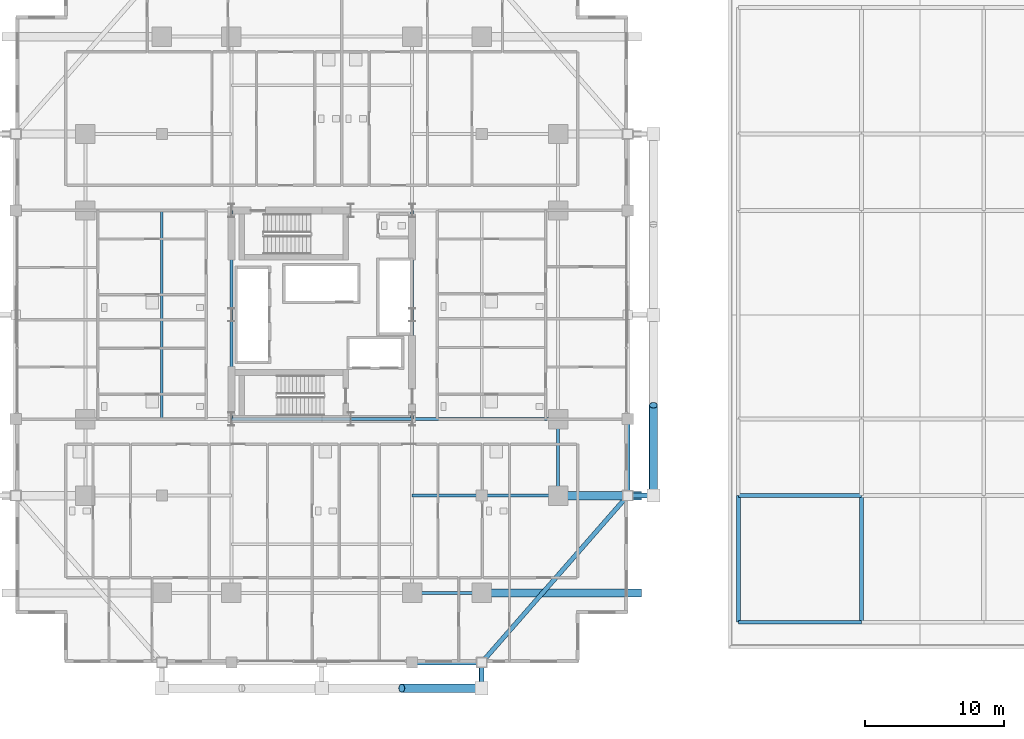
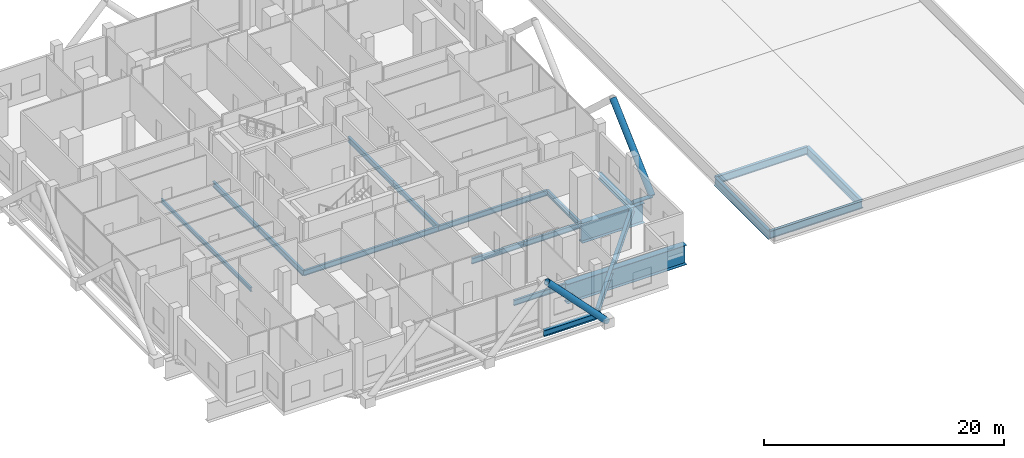
# One storey, part 9 of 33: 21 beams, 4 members.
"""IFC4 building model written with IfcOpenShell, lengths in metres."""

from ifc_helpers import new_model, si_unit, direction, frame, origin, origin_2d, place, context, subcontext, project, spatial, hollow_circle, i_section, extrude, material, material_profile, profile_set, type_object, element, save


model = new_model("IFC4")

# Units and contexts
model_context = context("Model", 3, precision=1e-05, world=origin(), true_north=direction((0.0, 1.0)))
body_context = subcontext(model_context, "Body", "Model", "MODEL_VIEW")
ifc_project = project(units=[si_unit("LENGTHUNIT", "METRE"), si_unit("AREAUNIT", "SQUARE_METRE"), si_unit("VOLUMEUNIT", "CUBIC_METRE"), si_unit("PLANEANGLEUNIT", "RADIAN"), si_unit("MASSUNIT", "GRAM", prefix="KILO")], contexts=[model_context])

# Site, building, storey
site_placement = place(None, origin())
site = spatial("IfcSite", under=ifc_project, at=site_placement, CompositionType="ELEMENT")
building_placement = place(site_placement, origin())
building = spatial("IfcBuilding", under=site, at=building_placement, Name="Barlavira Tower and Art Museum", CompositionType="ELEMENT")
storey_placement = place(building_placement, frame((0.0, 0.0, 27.60009765625)))
storey = spatial("IfcBuildingStorey", under=building, at=storey_placement, Name="L05", CompositionType="ELEMENT", Elevation=27.60009765625)

# Beams
ifc_material = material(Name="Steel S355", Category="steel")
ifc_material_profile_1 = material_profile(ifc_material, i_section(OverallWidth=0.2939453125, OverallDepth=0.85107421875, WebThickness=0.017333984375, FlangeThickness=0.0283203125, at=origin_2d()), Name="W840x251.0")
ifc_profile_set_1 = profile_set([ifc_material_profile_1], Name="Steel S355")
beam_type_1 = type_object("IfcBeamType", Name="Museum Auditorium Heavy Girder W840x251 Steel S355", PredefinedType="BEAM", material=ifc_profile_set_1)
for number, where, z_axis, x_axis, name in (
    (1, (29.949951171875, -22.10009765625, -0.695556640625), (0.0, 1.0, 0.0), (-1.0, 0.0, 0.0), "L05 Museum Girder Y 1-1"),
    (2, (38.800048828125, -22.10009765625, -0.695556640625), (0.0, 1.0, 0.0), (-1.0, 0.0, 0.0), "L05 Museum Girder Y 2-1"),
):
    element("IfcBeam", number, at=place(storey_placement, frame(where, z_axis=z_axis, x_axis=x_axis)), inside=storey, type_object=beam_type_1, Name=name, PredefinedType="BEAM", context=body_context, shape_type="SweptSolid", body=[
        extrude(i_section(OverallWidth=0.2939453125, OverallDepth=0.85107421875, WebThickness=0.017333984375, FlangeThickness=0.0283203125, at=origin_2d()), origin(), (0.0, 0.0, 1.0), 9.10009765625),
    ])
ifc_material_profile_2 = material_profile(ifc_material, i_section(OverallWidth=0.26904296875, OverallDepth=0.76806640625, WebThickness=0.016845703125, FlangeThickness=0.026611328125, at=origin_2d()), Name="W760x220.0")
ifc_profile_set_2 = profile_set([ifc_material_profile_2], Name="Steel S355")
beam_type_2 = type_object("IfcBeamType", Name="Museum Long-Span Gallery Girder W760x220 Steel S355", PredefinedType="BEAM", material=ifc_profile_set_2)
for number, where, z_axis, x_axis, name in (
    (3, (29.949951171875, -22.10009765625, -0.654052734375), (1.0, 0.0, 0.0), (0.0, 1.0, 0.0), "L05 Museum Girder X 1-1"),
    (4, (29.949951171875, -13.0, -0.654052734375), (1.0, 0.0, 0.0), (0.0, 1.0, 0.0), "L05 Museum Girder X 2-1"),
):
    element("IfcBeam", number, at=place(storey_placement, frame(where, z_axis=z_axis, x_axis=x_axis)), inside=storey, type_object=beam_type_2, Name=name, PredefinedType="BEAM", context=body_context, shape_type="SweptSolid", body=[
        extrude(i_section(OverallWidth=0.26904296875, OverallDepth=0.76806640625, WebThickness=0.016845703125, FlangeThickness=0.026611328125, at=origin_2d()), origin(), (0.0, 0.0, 1.0), 8.85009765625),
    ])

# Members
ifc_material_profile_3 = material_profile(ifc_material, hollow_circle(Radius=0.304931640625, WallThickness=0.028076171875, at=origin_2d()), Name="CHS 610.0x28.0")
ifc_profile_set_3 = profile_set([ifc_material_profile_3], Name="Steel S355")
member_type_1 = type_object("IfcMemberType", Name="Pale-Metal Exoskeleton Diagrid Tube CHS 610x28 Steel S355", PredefinedType="BRACE", material=ifc_profile_set_3)
member_1_placement = place(storey_placement, frame((11.5, -26.85009765625, -0.1201171875), z_axis=(-0.691905363236, 0.0, 0.721988205115), x_axis=(0.0, -1.0, 0.0)))
element("IfcMember", 5, at=member_1_placement, inside=storey, type_object=member_type_1, Name="L05 Exoskeleton Diagrid Tube S", PredefinedType="BRACE", context=body_context, shape_type="SweptSolid", body=[
    extrude(hollow_circle(Radius=0.304931640625, WallThickness=0.028076171875, at=origin_2d()), origin(), (0.0, 0.0, 1.0), 8.310302734375),
])
member_2_placement = place(storey_placement, frame((23.85009765625, -13.0, -0.1201171875), z_axis=(0.0, 0.734803444627, 0.678280102733), x_axis=(-1.0, 0.0, 0.0)))
element("IfcMember", 6, at=member_2_placement, inside=storey, type_object=member_type_1, Name="L05 Exoskeleton Diagrid Tube E", PredefinedType="BRACE", context=body_context, shape_type="SweptSolid", body=[
    extrude(hollow_circle(Radius=0.304931640625, WallThickness=0.028076171875, at=origin_2d()), origin(), (0.0, 0.0, 1.0), 8.845947265625),
])
ifc_material_profile_4 = material_profile(ifc_material, hollow_circle(Radius=0.177734375, WallThickness=0.01611328125, at=origin_2d()), Name="CHS 355.6x16.0")
ifc_profile_set_4 = profile_set([ifc_material_profile_4], Name="Steel S355")
member_type_2 = type_object("IfcMemberType", Name="Pale-Metal Exoskeleton Tie Strut CHS 356x16 Steel S355", PredefinedType="STRUT", material=ifc_profile_set_4)
for number, where, z_axis, x_axis, name in (
    (7, (11.5, -26.85009765625, -0.1201171875), (0.0, 1.0, 0.0), (-1.0, 0.0, 0.0), "L05 Exoskeleton Tie Strut S3"),
    (8, (23.85009765625, -13.0, -0.1201171875), (-1.0, 0.0, 0.0), (0.0, -1.0, 0.0), "L05 Exoskeleton Tie Strut E1"),
):
    element("IfcMember", number, at=place(storey_placement, frame(where, z_axis=z_axis, x_axis=x_axis)), inside=storey, type_object=member_type_2, Name=name, PredefinedType="STRUT", context=body_context, shape_type="SweptSolid", body=[
        extrude(hollow_circle(Radius=0.177734375, WallThickness=0.01611328125, at=origin_2d()), origin(), (0.0, 0.0, 1.0), 1.85009765625),
    ])

# Beams
ifc_material_profile_5 = material_profile(ifc_material, i_section(OverallWidth=0.327880859375, OverallDepth=0.62890625, WebThickness=0.013916015625, FlangeThickness=0.021484375, at=origin_2d()), Name="W610x174.0")
ifc_profile_set_5 = profile_set([ifc_material_profile_5], Name="Steel S355")
beam_type_3 = type_object("IfcBeamType", Name="Perimeter Spandrel Edge Beam W610x174 Steel S355", PredefinedType="SPANDREL", material=ifc_profile_set_5)
beam_1_placement = place(storey_placement, frame((6.5, -25.0, -0.714599609375), z_axis=(1.0, 0.0, 0.0), x_axis=(0.0, 1.0, 0.0)))
element("IfcBeam", 9, at=beam_1_placement, inside=storey, type_object=beam_type_3, Name="L05 Spandrel 3", PredefinedType="SPANDREL", context=body_context, shape_type="SweptSolid", body=[
    extrude(i_section(OverallWidth=0.327880859375, OverallDepth=0.62890625, WebThickness=0.013916015625, FlangeThickness=0.021484375, at=origin_2d()), origin(), (0.0, 0.0, 1.0), 5.0),
])
beam_2_placement = place(storey_placement, frame((11.5, -25.0, -0.714599609375), z_axis=(0.658504607869, 0.752576694707, 0.0), x_axis=(-0.752576694707, 0.658504607869, 0.0)))
element("IfcBeam", 10, at=beam_2_placement, inside=storey, type_object=beam_type_3, Name="L05 Spandrel 4", PredefinedType="SPANDREL", context=body_context, shape_type="SweptSolid", body=[
    extrude(i_section(OverallWidth=0.327880859375, OverallDepth=0.62890625, WebThickness=0.013916015625, FlangeThickness=0.021484375, at=origin_2d()), origin(), (0.0, 0.0, 1.0), 15.9453125),
])
beam_3_placement = place(storey_placement, frame((22.0, -13.0, -0.714599609375), z_axis=(0.0, 1.0, 0.0), x_axis=(-1.0, 0.0, 0.0)))
element("IfcBeam", 11, at=beam_3_placement, inside=storey, type_object=beam_type_3, Name="L05 Spandrel 5", PredefinedType="SPANDREL", context=body_context, shape_type="SweptSolid", body=[
    extrude(i_section(OverallWidth=0.327880859375, OverallDepth=0.62890625, WebThickness=0.013916015625, FlangeThickness=0.021484375, at=origin_2d()), origin(), (0.0, 0.0, 1.0), 5.5),
])
ifc_material_profile_6 = material_profile(ifc_material, i_section(OverallWidth=0.60009765625, OverallDepth=2.0, WebThickness=0.028076171875, FlangeThickness=0.034912109375, at=origin_2d()), Name="CVS2000x580")
ifc_profile_set_6 = profile_set([ifc_material_profile_6], Name="Steel S355")
beam_type_4 = type_object("IfcBeamType", Name="Podium Top Transfer Girder CVS2000x580 Steel S355", PredefinedType="USERDEFINED", material=ifc_profile_set_6)
beam_4_placement = place(storey_placement, frame((11.5, -20.0, -1.400146484375), z_axis=(1.0, 0.0, 0.0), x_axis=(0.0, 1.0, 0.0)))
element("IfcBeam", 12, at=beam_4_placement, inside=storey, type_object=beam_type_4, Name="L05 Transfer Girder TG05-02", ObjectType="TRANSFER GIRDER", PredefinedType="USERDEFINED", context=body_context, shape_type="SweptSolid", body=[
    extrude(i_section(OverallWidth=0.60009765625, OverallDepth=2.0, WebThickness=0.028076171875, FlangeThickness=0.034912109375, at=origin_2d()), origin(), (0.0, 0.0, 1.0), 11.5),
])
beam_5_placement = place(storey_placement, frame((17.0, -13.0, -1.400146484375), z_axis=(1.0, 0.0, 0.0), x_axis=(0.0, 1.0, 0.0)))
element("IfcBeam", 13, at=beam_5_placement, inside=storey, type_object=beam_type_4, Name="L05 Transfer Girder TG05-06", ObjectType="TRANSFER GIRDER", PredefinedType="USERDEFINED", context=body_context, shape_type="SweptSolid", body=[
    extrude(i_section(OverallWidth=0.60009765625, OverallDepth=2.0, WebThickness=0.028076171875, FlangeThickness=0.034912109375, at=origin_2d()), origin(), (0.0, 0.0, 1.0), 6.0),
])
ifc_material_profile_7 = material_profile(ifc_material, i_section(OverallWidth=0.180908203125, OverallDepth=0.4169921875, WebThickness=0.010986328125, FlangeThickness=0.018310546875, at=origin_2d()), Name="W410x85.0")
ifc_profile_set_7 = profile_set([ifc_material_profile_7], Name="Steel S355")
beam_type_5 = type_object("IfcBeamType", Name="Zone 1 Composite Floor Joist W410x85 Steel S355", PredefinedType="JOIST", material=ifc_profile_set_7)
beam_6_placement = place(storey_placement, frame((-11.5, -7.5, -0.608642578125), z_axis=(0.0, 1.0, 0.0), x_axis=(-1.0, 0.0, 0.0)))
element("IfcBeam", 14, at=beam_6_placement, inside=storey, type_object=beam_type_5, Name="L05 Joist W1", PredefinedType="JOIST", context=body_context, shape_type="SweptSolid", body=[
    extrude(i_section(OverallWidth=0.180908203125, OverallDepth=0.4169921875, WebThickness=0.010986328125, FlangeThickness=0.018310546875, at=origin_2d()), origin(), (0.0, 0.0, 1.0), 15.0),
])
ifc_material_profile_8 = material_profile(ifc_material, i_section(OverallWidth=0.214111328125, OverallDepth=0.549072265625, WebThickness=0.0146484375, FlangeThickness=0.023681640625, at=origin_2d()), Name="W530x138.0")
ifc_profile_set_8 = profile_set([ifc_material_profile_8], Name="Steel S355")
beam_type_6 = type_object("IfcBeamType", Name="Zone 1 Primary Floor Girder W530x138 Steel S355", PredefinedType="BEAM", material=ifc_profile_set_8)
beam_7_placement = place(storey_placement, frame((-6.5, -7.5, -0.674560546875), z_axis=(1.0, 0.0, 0.0), x_axis=(0.0, 1.0, 0.0)))
element("IfcBeam", 15, at=beam_7_placement, inside=storey, type_object=beam_type_6, Name="L05 Girder C-S1", PredefinedType="BEAM", context=body_context, shape_type="SweptSolid", body=[
    extrude(i_section(OverallWidth=0.214111328125, OverallDepth=0.549072265625, WebThickness=0.0146484375, FlangeThickness=0.023681640625, at=origin_2d()), origin(), (0.0, 0.0, 1.0), 8.580078125),
])
beam_8_placement = place(storey_placement, frame((2.080078125, -7.5, -0.674560546875), z_axis=(1.0, 0.0, 0.0), x_axis=(0.0, 1.0, 0.0)))
element("IfcBeam", 16, at=beam_8_placement, inside=storey, type_object=beam_type_6, Name="L05 Girder C-S2", PredefinedType="BEAM", context=body_context, shape_type="SweptSolid", body=[
    extrude(i_section(OverallWidth=0.214111328125, OverallDepth=0.549072265625, WebThickness=0.0146484375, FlangeThickness=0.023681640625, at=origin_2d()), origin(), (0.0, 0.0, 1.0), 4.419921875),
])
for number, where, z_axis, x_axis, name in (
    (17, (-6.5, -7.5, -0.674560546875), (0.0, 1.0, 0.0), (-1.0, 0.0, 0.0), "L05 Girder C-W1"),
    (18, (-6.5, 0.0, -0.674560546875), (0.0, 1.0, 0.0), (-1.0, 0.0, 0.0), "L05 Girder C-W2"),
    (19, (6.5, -7.5, -0.674560546875), (0.0, 1.0, 0.0), (-1.0, 0.0, 0.0), "L05 Girder C-E1"),
    (20, (6.5, 0.0, -0.674560546875), (0.0, 1.0, 0.0), (-1.0, 0.0, 0.0), "L05 Girder C-E2"),
):
    element("IfcBeam", number, at=place(storey_placement, frame(where, z_axis=z_axis, x_axis=x_axis)), inside=storey, type_object=beam_type_6, Name=name, PredefinedType="BEAM", context=body_context, shape_type="SweptSolid", body=[
        extrude(i_section(OverallWidth=0.214111328125, OverallDepth=0.549072265625, WebThickness=0.0146484375, FlangeThickness=0.023681640625, at=origin_2d()), origin(), (0.0, 0.0, 1.0), 7.5),
    ])
beam_9_placement = place(storey_placement, frame((6.5, -20.0, -0.674560546875), z_axis=(1.0, 0.0, 0.0), x_axis=(0.0, 1.0, 0.0)))
element("IfcBeam", 21, at=beam_9_placement, inside=storey, type_object=beam_type_6, Name="L05 Girder M-S3", PredefinedType="BEAM", context=body_context, shape_type="SweptSolid", body=[
    extrude(i_section(OverallWidth=0.214111328125, OverallDepth=0.549072265625, WebThickness=0.0146484375, FlangeThickness=0.023681640625, at=origin_2d()), origin(), (0.0, 0.0, 1.0), 5.0),
])
beam_10_placement = place(storey_placement, frame((17.0, -13.0, -0.674560546875), z_axis=(0.0, 1.0, 0.0), x_axis=(-1.0, 0.0, 0.0)))
element("IfcBeam", 22, at=beam_10_placement, inside=storey, type_object=beam_type_6, Name="L05 Girder M-E1", PredefinedType="BEAM", context=body_context, shape_type="SweptSolid", body=[
    extrude(i_section(OverallWidth=0.214111328125, OverallDepth=0.549072265625, WebThickness=0.0146484375, FlangeThickness=0.023681640625, at=origin_2d()), origin(), (0.0, 0.0, 1.0), 5.5),
])
beam_11_placement = place(storey_placement, frame((6.5, -7.5, -0.674560546875), z_axis=(1.0, 0.0, 0.0), x_axis=(0.0, 1.0, 0.0)))
element("IfcBeam", 23, at=beam_11_placement, inside=storey, type_object=beam_type_6, Name="L05 Girder R-E1", PredefinedType="BEAM", context=body_context, shape_type="SweptSolid", body=[
    extrude(i_section(OverallWidth=0.214111328125, OverallDepth=0.549072265625, WebThickness=0.0146484375, FlangeThickness=0.023681640625, at=origin_2d()), origin(), (0.0, 0.0, 1.0), 10.5),
])
beam_12_placement = place(storey_placement, frame((6.5, -13.0, -0.674560546875), z_axis=(1.0, 0.0, 0.0), x_axis=(0.0, 1.0, 0.0)))
element("IfcBeam", 24, at=beam_12_placement, inside=storey, type_object=beam_type_6, Name="L05 Girder I-S3", PredefinedType="BEAM", context=body_context, shape_type="SweptSolid", body=[
    extrude(i_section(OverallWidth=0.214111328125, OverallDepth=0.549072265625, WebThickness=0.0146484375, FlangeThickness=0.023681640625, at=origin_2d()), origin(), (0.0, 0.0, 1.0), 5.0),
])
beam_13_placement = place(storey_placement, frame((11.5, -13.0, -0.674560546875), z_axis=(1.0, 0.0, 0.0), x_axis=(0.0, 1.0, 0.0)))
element("IfcBeam", 25, at=beam_13_placement, inside=storey, type_object=beam_type_6, Name="L05 Girder I-S4", PredefinedType="BEAM", context=body_context, shape_type="SweptSolid", body=[
    extrude(i_section(OverallWidth=0.214111328125, OverallDepth=0.549072265625, WebThickness=0.0146484375, FlangeThickness=0.023681640625, at=origin_2d()), origin(), (0.0, 0.0, 1.0), 5.5),
])

save(model, "model.ifc")
